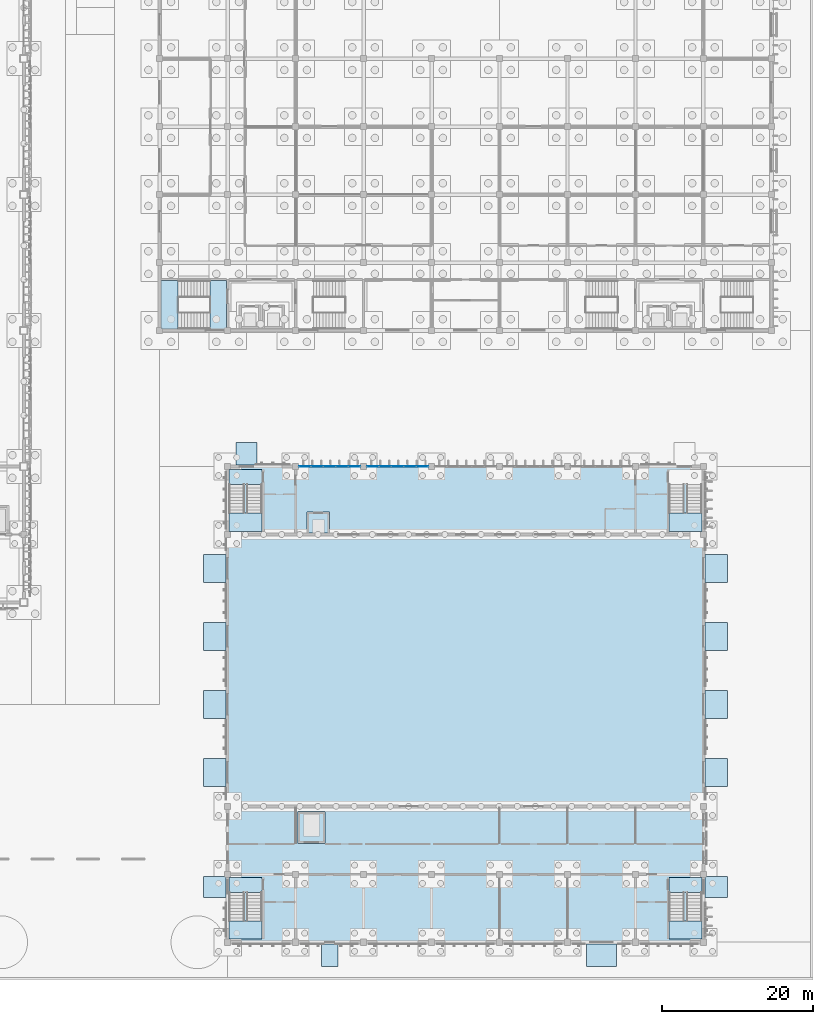
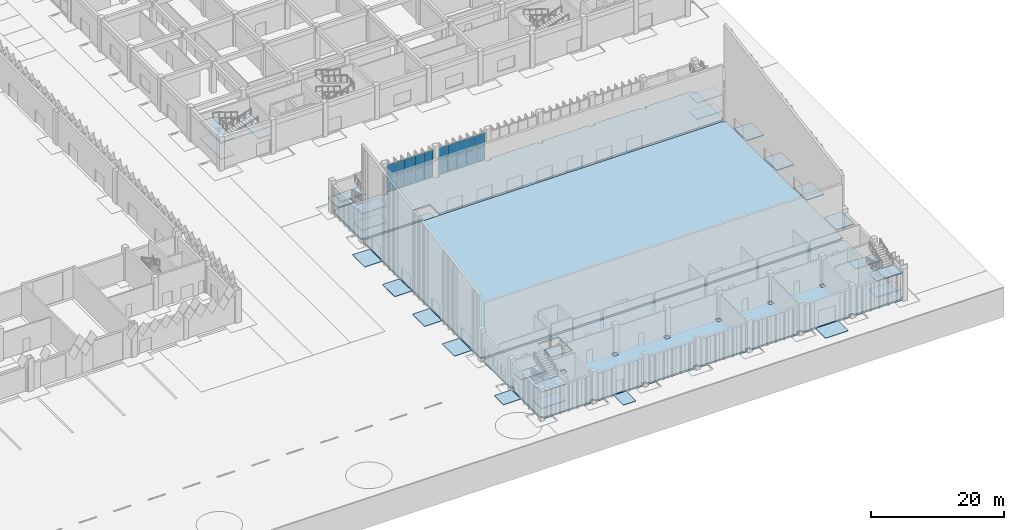
# One storey, part 74 of 198: 32 slabs, 20 plates, 7 elements without a shape of their own.
"""IFC4 building model written with IfcOpenShell, lengths in metres."""

from ifc_helpers import new_model, si_unit, direction, frame, origin, origin_2d, place, context, subcontext, project, spatial, polyline, rectangle, outline, extrude, material, layer, layer_set, type_object, element, aggregate, save


model = new_model("IFC4")

# Units and contexts
model_context = context("Model", 3, precision=1e-05, world=origin(), true_north=direction((0.0, 1.0)))
body_context = subcontext(model_context, "Body", "Model", "MODEL_VIEW")
ifc_project = project(units=[si_unit("LENGTHUNIT", "METRE"), si_unit("AREAUNIT", "SQUARE_METRE"), si_unit("VOLUMEUNIT", "CUBIC_METRE"), si_unit("PLANEANGLEUNIT", "RADIAN"), si_unit("MASSUNIT", "GRAM", prefix="KILO")], contexts=[model_context])

# Site, building, storey
site_placement = place(None, origin())
site = spatial("IfcSite", under=ifc_project, at=site_placement, CompositionType="ELEMENT")
building_placement = place(site_placement, origin())
building = spatial("IfcBuilding", under=site, at=building_placement, Name="Opaline Strait Convention Centre", CompositionType="ELEMENT")
storey_placement = place(building_placement, origin())
storey = spatial("IfcBuildingStorey", under=building, at=storey_placement, Name="L00", CompositionType="ELEMENT", Elevation=0.0)

# Curtain wall, plates
ifc_material_1 = material(Name="Aluminium 6063-T5", Category="aluminium")
ifc_layer_1 = layer(ifc_material_1, 0.199951171875)
ifc_layer_set_1 = layer_set([ifc_layer_1], Name="Aluminium 6063-T5")
curtain_wall_type = type_object("IfcCurtainWallType", Name="Unitised curtain wall 1640 module", PredefinedType="NOTDEFINED", material=ifc_layer_set_1)
curtain_wall_1_placement = place(storey_placement, origin())
curtain_wall_1 = element("IfcCurtainWall", 1, at=curtain_wall_1_placement, inside=storey, type_object=curtain_wall_type, Name="Ballroom north curtain wall L00 bay 2", PredefinedType="NOTDEFINED")
ifc_material_2 = material(Name="Double glazed unit low emissivity", Category="glass")
ifc_layer_2 = layer(ifc_material_2, 0.028076171875)
ifc_layer_set_2 = layer_set([ifc_layer_2], Name="Double glazed unit low emissivity")
plate_type = type_object("IfcPlateType", Name="Curtain wall glass panel 28", PredefinedType="CURTAIN_PANEL", material=ifc_layer_set_2)
plate_1_placement = place(storey_placement, frame((298.23486328125, 72.0, 0.06005859375), z_axis=(0.0, 0.0, 1.0), x_axis=(1.0, 0.0, 0.0)))
plate_1 = element("IfcPlate", 2, at=plate_1_placement, type_object=plate_type, Name="BG2 panel 1.1", PredefinedType="CURTAIN_PANEL", context=body_context, shape_type="SweptSolid", body=[
    extrude(rectangle(XDim=1.550048828125, YDim=0.028076171875, at=origin_2d()), origin(), (0.0, 0.0, 1.0), 2.419921875),
])
plate_2_placement = place(storey_placement, frame((298.23486328125, 72.0, 2.5400390625), z_axis=(0.0, 0.0, 1.0), x_axis=(1.0, 0.0, 0.0)))
plate_2 = element("IfcPlate", 3, at=plate_2_placement, type_object=plate_type, Name="BG2 panel 1.2", PredefinedType="CURTAIN_PANEL", context=body_context, shape_type="SweptSolid", body=[
    extrude(rectangle(XDim=1.550048828125, YDim=0.028076171875, at=origin_2d()), origin(), (0.0, 0.0, 1.0), 2.419921875),
])
plate_3_placement = place(storey_placement, frame((299.85986328125, 72.0, 0.06005859375), z_axis=(0.0, 0.0, 1.0), x_axis=(1.0, 0.0, 0.0)))
plate_3 = element("IfcPlate", 4, at=plate_3_placement, type_object=plate_type, Name="BG2 panel 2.1", PredefinedType="CURTAIN_PANEL", context=body_context, shape_type="SweptSolid", body=[
    extrude(rectangle(XDim=1.580078125, YDim=0.028076171875, at=origin_2d()), origin(), (0.0, 0.0, 1.0), 2.419921875),
])
plate_4_placement = place(storey_placement, frame((299.85986328125, 72.0, 2.5400390625), z_axis=(0.0, 0.0, 1.0), x_axis=(1.0, 0.0, 0.0)))
plate_4 = element("IfcPlate", 5, at=plate_4_placement, type_object=plate_type, Name="BG2 panel 2.2", PredefinedType="CURTAIN_PANEL", context=body_context, shape_type="SweptSolid", body=[
    extrude(rectangle(XDim=1.580078125, YDim=0.028076171875, at=origin_2d()), origin(), (0.0, 0.0, 1.0), 2.419921875),
])
plate_5_placement = place(storey_placement, frame((301.5, 72.0, 0.06005859375), z_axis=(0.0, 0.0, 1.0), x_axis=(1.0, 0.0, 0.0)))
plate_5 = element("IfcPlate", 6, at=plate_5_placement, type_object=plate_type, Name="BG2 panel 3.1", PredefinedType="CURTAIN_PANEL", context=body_context, shape_type="SweptSolid", body=[
    extrude(rectangle(XDim=1.580078125, YDim=0.028076171875, at=origin_2d()), origin(), (0.0, 0.0, 1.0), 2.419921875),
])
plate_6_placement = place(storey_placement, frame((301.5, 72.0, 2.5400390625), z_axis=(0.0, 0.0, 1.0), x_axis=(1.0, 0.0, 0.0)))
plate_6 = element("IfcPlate", 7, at=plate_6_placement, type_object=plate_type, Name="BG2 panel 3.2", PredefinedType="CURTAIN_PANEL", context=body_context, shape_type="SweptSolid", body=[
    extrude(rectangle(XDim=1.580078125, YDim=0.028076171875, at=origin_2d()), origin(), (0.0, 0.0, 1.0), 2.419921875),
])
plate_7_placement = place(storey_placement, frame((303.14013671875, 72.0, 0.06005859375), z_axis=(0.0, 0.0, 1.0), x_axis=(1.0, 0.0, 0.0)))
plate_7 = element("IfcPlate", 8, at=plate_7_placement, type_object=plate_type, Name="BG2 panel 4.1", PredefinedType="CURTAIN_PANEL", context=body_context, shape_type="SweptSolid", body=[
    extrude(rectangle(XDim=1.580078125, YDim=0.028076171875, at=origin_2d()), origin(), (0.0, 0.0, 1.0), 2.419921875),
])
plate_8_placement = place(storey_placement, frame((303.14013671875, 72.0, 2.5400390625), z_axis=(0.0, 0.0, 1.0), x_axis=(1.0, 0.0, 0.0)))
plate_8 = element("IfcPlate", 9, at=plate_8_placement, type_object=plate_type, Name="BG2 panel 4.2", PredefinedType="CURTAIN_PANEL", context=body_context, shape_type="SweptSolid", body=[
    extrude(rectangle(XDim=1.580078125, YDim=0.028076171875, at=origin_2d()), origin(), (0.0, 0.0, 1.0), 2.419921875),
])
plate_9_placement = place(storey_placement, frame((304.76513671875, 72.0, 0.06005859375), z_axis=(0.0, 0.0, 1.0), x_axis=(1.0, 0.0, 0.0)))
plate_9 = element("IfcPlate", 10, at=plate_9_placement, type_object=plate_type, Name="BG2 panel 5.1", PredefinedType="CURTAIN_PANEL", context=body_context, shape_type="SweptSolid", body=[
    extrude(rectangle(XDim=1.550048828125, YDim=0.028076171875, at=origin_2d()), origin(), (0.0, 0.0, 1.0), 2.419921875),
])
plate_10_placement = place(storey_placement, frame((304.76513671875, 72.0, 2.5400390625), z_axis=(0.0, 0.0, 1.0), x_axis=(1.0, 0.0, 0.0)))
plate_10 = element("IfcPlate", 11, at=plate_10_placement, type_object=plate_type, Name="BG2 panel 5.2", PredefinedType="CURTAIN_PANEL", context=body_context, shape_type="SweptSolid", body=[
    extrude(rectangle(XDim=1.550048828125, YDim=0.028076171875, at=origin_2d()), origin(), (0.0, 0.0, 1.0), 2.419921875),
])
aggregate(curtain_wall_1, [plate_1, plate_2, plate_3, plate_4, plate_5, plate_6, plate_7, plate_8, plate_9, plate_10])

curtain_wall_2_placement = place(storey_placement, origin())
curtain_wall_2 = element("IfcCurtainWall", 12, at=curtain_wall_2_placement, inside=storey, type_object=curtain_wall_type, Name="Ballroom north curtain wall L00 bay 3", PredefinedType="NOTDEFINED")
plate_11_placement = place(storey_placement, frame((307.23486328125, 72.0, 0.06005859375), z_axis=(0.0, 0.0, 1.0), x_axis=(1.0, 0.0, 0.0)))
plate_11 = element("IfcPlate", 13, at=plate_11_placement, type_object=plate_type, Name="BG2 panel 1.1", PredefinedType="CURTAIN_PANEL", context=body_context, shape_type="SweptSolid", body=[
    extrude(rectangle(XDim=1.550048828125, YDim=0.028076171875, at=origin_2d()), origin(), (0.0, 0.0, 1.0), 2.419921875),
])
plate_12_placement = place(storey_placement, frame((307.23486328125, 72.0, 2.5400390625), z_axis=(0.0, 0.0, 1.0), x_axis=(1.0, 0.0, 0.0)))
plate_12 = element("IfcPlate", 14, at=plate_12_placement, type_object=plate_type, Name="BG2 panel 1.2", PredefinedType="CURTAIN_PANEL", context=body_context, shape_type="SweptSolid", body=[
    extrude(rectangle(XDim=1.550048828125, YDim=0.028076171875, at=origin_2d()), origin(), (0.0, 0.0, 1.0), 2.419921875),
])
plate_13_placement = place(storey_placement, frame((308.85986328125, 72.0, 0.06005859375), z_axis=(0.0, 0.0, 1.0), x_axis=(1.0, 0.0, 0.0)))
plate_13 = element("IfcPlate", 15, at=plate_13_placement, type_object=plate_type, Name="BG2 panel 2.1", PredefinedType="CURTAIN_PANEL", context=body_context, shape_type="SweptSolid", body=[
    extrude(rectangle(XDim=1.580078125, YDim=0.028076171875, at=origin_2d()), origin(), (0.0, 0.0, 1.0), 2.419921875),
])
plate_14_placement = place(storey_placement, frame((308.85986328125, 72.0, 2.5400390625), z_axis=(0.0, 0.0, 1.0), x_axis=(1.0, 0.0, 0.0)))
plate_14 = element("IfcPlate", 16, at=plate_14_placement, type_object=plate_type, Name="BG2 panel 2.2", PredefinedType="CURTAIN_PANEL", context=body_context, shape_type="SweptSolid", body=[
    extrude(rectangle(XDim=1.580078125, YDim=0.028076171875, at=origin_2d()), origin(), (0.0, 0.0, 1.0), 2.419921875),
])
plate_15_placement = place(storey_placement, frame((310.5, 72.0, 0.06005859375), z_axis=(0.0, 0.0, 1.0), x_axis=(1.0, 0.0, 0.0)))
plate_15 = element("IfcPlate", 17, at=plate_15_placement, type_object=plate_type, Name="BG2 panel 3.1", PredefinedType="CURTAIN_PANEL", context=body_context, shape_type="SweptSolid", body=[
    extrude(rectangle(XDim=1.580078125, YDim=0.028076171875, at=origin_2d()), origin(), (0.0, 0.0, 1.0), 2.419921875),
])
plate_16_placement = place(storey_placement, frame((310.5, 72.0, 2.5400390625), z_axis=(0.0, 0.0, 1.0), x_axis=(1.0, 0.0, 0.0)))
plate_16 = element("IfcPlate", 18, at=plate_16_placement, type_object=plate_type, Name="BG2 panel 3.2", PredefinedType="CURTAIN_PANEL", context=body_context, shape_type="SweptSolid", body=[
    extrude(rectangle(XDim=1.580078125, YDim=0.028076171875, at=origin_2d()), origin(), (0.0, 0.0, 1.0), 2.419921875),
])
plate_17_placement = place(storey_placement, frame((312.14013671875, 72.0, 0.06005859375), z_axis=(0.0, 0.0, 1.0), x_axis=(1.0, 0.0, 0.0)))
plate_17 = element("IfcPlate", 19, at=plate_17_placement, type_object=plate_type, Name="BG2 panel 4.1", PredefinedType="CURTAIN_PANEL", context=body_context, shape_type="SweptSolid", body=[
    extrude(rectangle(XDim=1.580078125, YDim=0.028076171875, at=origin_2d()), origin(), (0.0, 0.0, 1.0), 2.419921875),
])
plate_18_placement = place(storey_placement, frame((312.14013671875, 72.0, 2.5400390625), z_axis=(0.0, 0.0, 1.0), x_axis=(1.0, 0.0, 0.0)))
plate_18 = element("IfcPlate", 20, at=plate_18_placement, type_object=plate_type, Name="BG2 panel 4.2", PredefinedType="CURTAIN_PANEL", context=body_context, shape_type="SweptSolid", body=[
    extrude(rectangle(XDim=1.580078125, YDim=0.028076171875, at=origin_2d()), origin(), (0.0, 0.0, 1.0), 2.419921875),
])
plate_19_placement = place(storey_placement, frame((313.76513671875, 72.0, 0.06005859375), z_axis=(0.0, 0.0, 1.0), x_axis=(1.0, 0.0, 0.0)))
plate_19 = element("IfcPlate", 21, at=plate_19_placement, type_object=plate_type, Name="BG2 panel 5.1", PredefinedType="CURTAIN_PANEL", context=body_context, shape_type="SweptSolid", body=[
    extrude(rectangle(XDim=1.550048828125, YDim=0.028076171875, at=origin_2d()), origin(), (0.0, 0.0, 1.0), 2.419921875),
])
plate_20_placement = place(storey_placement, frame((313.76513671875, 72.0, 2.5400390625), z_axis=(0.0, 0.0, 1.0), x_axis=(1.0, 0.0, 0.0)))
plate_20 = element("IfcPlate", 22, at=plate_20_placement, type_object=plate_type, Name="BG2 panel 5.2", PredefinedType="CURTAIN_PANEL", context=body_context, shape_type="SweptSolid", body=[
    extrude(rectangle(XDim=1.550048828125, YDim=0.028076171875, at=origin_2d()), origin(), (0.0, 0.0, 1.0), 2.419921875),
])
aggregate(curtain_wall_2, [plate_11, plate_12, plate_13, plate_14, plate_15, plate_16, plate_17, plate_18, plate_19, plate_20])

# Slabs
ifc_material_3 = material(Name="Concrete C30", Category="concrete")
ifc_layer_3 = layer(ifc_material_3, 0.14990234375)
ifc_layer_set_3 = layer_set([ifc_layer_3], Name="Concrete C30")
slab_type_1 = type_object("IfcSlabType", Name="Exit apron paving 150 C30", PredefinedType="BASESLAB", material=ifc_layer_set_3)
slab_1_placement = place(storey_placement, frame((0.0, 0.0, -0.14990234375)))
element("IfcSlab", 23, at=slab_1_placement, inside=storey, type_object=slab_type_1, Name="Exit apron P-HW27", PredefinedType="BASESLAB", context=body_context, shape_type="SweptSolid", body=[
    extrude(outline(polyline([(284.800048828125, 29.64990234375), (287.800048828125, 29.64990234375), (287.800048828125, 33.35009765625), (284.800048828125, 33.35009765625), (284.800048828125, 29.64990234375)])), origin(), (0.0, 0.0, 1.0), 0.14990234375),
])
slab_2_placement = place(storey_placement, frame((0.0, 0.0, -0.14990234375)))
element("IfcSlab", 24, at=slab_2_placement, inside=storey, type_object=slab_type_1, Name="Exit apron P-HW36", PredefinedType="BASESLAB", context=body_context, shape_type="SweptSolid", body=[
    extrude(outline(polyline([(284.800048828125, 38.64990234375), (287.800048828125, 38.64990234375), (287.800048828125, 42.35009765625), (284.800048828125, 42.35009765625), (284.800048828125, 38.64990234375)])), origin(), (0.0, 0.0, 1.0), 0.14990234375),
])
slab_3_placement = place(storey_placement, frame((0.0, 0.0, -0.14990234375)))
element("IfcSlab", 25, at=slab_3_placement, inside=storey, type_object=slab_type_1, Name="Exit apron P-HW45", PredefinedType="BASESLAB", context=body_context, shape_type="SweptSolid", body=[
    extrude(outline(polyline([(284.800048828125, 47.64990234375), (287.800048828125, 47.64990234375), (287.800048828125, 51.35009765625), (284.800048828125, 51.35009765625), (284.800048828125, 47.64990234375)])), origin(), (0.0, 0.0, 1.0), 0.14990234375),
])
slab_4_placement = place(storey_placement, frame((0.0, 0.0, -0.14990234375)))
element("IfcSlab", 26, at=slab_4_placement, inside=storey, type_object=slab_type_1, Name="Exit apron P-HW54", PredefinedType="BASESLAB", context=body_context, shape_type="SweptSolid", body=[
    extrude(outline(polyline([(284.800048828125, 56.64990234375), (287.800048828125, 56.64990234375), (287.800048828125, 60.35009765625), (284.800048828125, 60.35009765625), (284.800048828125, 56.64990234375)])), origin(), (0.0, 0.0, 1.0), 0.14990234375),
])
slab_5_placement = place(storey_placement, frame((0.0, 0.0, -0.14990234375)))
element("IfcSlab", 27, at=slab_5_placement, inside=storey, type_object=slab_type_1, Name="Exit apron P-HE27", PredefinedType="BASESLAB", context=body_context, shape_type="SweptSolid", body=[
    extrude(outline(polyline([(351.199951171875, 29.64990234375), (354.199951171875, 29.64990234375), (354.199951171875, 33.35009765625), (351.199951171875, 33.35009765625), (351.199951171875, 29.64990234375)])), origin(), (0.0, 0.0, 1.0), 0.14990234375),
])
slab_6_placement = place(storey_placement, frame((0.0, 0.0, -0.14990234375)))
element("IfcSlab", 28, at=slab_6_placement, inside=storey, type_object=slab_type_1, Name="Exit apron P-HE36", PredefinedType="BASESLAB", context=body_context, shape_type="SweptSolid", body=[
    extrude(outline(polyline([(351.199951171875, 38.64990234375), (354.199951171875, 38.64990234375), (354.199951171875, 42.35009765625), (351.199951171875, 42.35009765625), (351.199951171875, 38.64990234375)])), origin(), (0.0, 0.0, 1.0), 0.14990234375),
])
slab_7_placement = place(storey_placement, frame((0.0, 0.0, -0.14990234375)))
element("IfcSlab", 29, at=slab_7_placement, inside=storey, type_object=slab_type_1, Name="Exit apron P-HE45", PredefinedType="BASESLAB", context=body_context, shape_type="SweptSolid", body=[
    extrude(outline(polyline([(351.199951171875, 47.64990234375), (354.199951171875, 47.64990234375), (354.199951171875, 51.35009765625), (351.199951171875, 51.35009765625), (351.199951171875, 47.64990234375)])), origin(), (0.0, 0.0, 1.0), 0.14990234375),
])
slab_8_placement = place(storey_placement, frame((0.0, 0.0, -0.14990234375)))
element("IfcSlab", 30, at=slab_8_placement, inside=storey, type_object=slab_type_1, Name="Exit apron P-HE54", PredefinedType="BASESLAB", context=body_context, shape_type="SweptSolid", body=[
    extrude(outline(polyline([(351.199951171875, 56.64990234375), (354.199951171875, 56.64990234375), (354.199951171875, 60.35009765625), (351.199951171875, 60.35009765625), (351.199951171875, 56.64990234375)])), origin(), (0.0, 0.0, 1.0), 0.14990234375),
])
slab_9_placement = place(storey_placement, frame((0.0, 0.0, -0.14990234375)))
element("IfcSlab", 31, at=slab_9_placement, inside=storey, type_object=slab_type_1, Name="Exit apron AP-SSW", PredefinedType="BASESLAB", context=body_context, shape_type="SweptSolid", body=[
    extrude(outline(polyline([(284.800048828125, 14.89990234375), (287.800048828125, 14.89990234375), (287.800048828125, 17.699951171875), (284.800048828125, 17.699951171875), (284.800048828125, 14.89990234375)])), origin(), (0.0, 0.0, 1.0), 0.14990234375),
])
slab_10_placement = place(storey_placement, frame((0.0, 0.0, -0.14990234375)))
element("IfcSlab", 32, at=slab_10_placement, inside=storey, type_object=slab_type_1, Name="Exit apron AP-SSE", PredefinedType="BASESLAB", context=body_context, shape_type="SweptSolid", body=[
    extrude(outline(polyline([(351.199951171875, 14.89990234375), (354.199951171875, 14.89990234375), (354.199951171875, 17.699951171875), (351.199951171875, 17.699951171875), (351.199951171875, 14.89990234375)])), origin(), (0.0, 0.0, 1.0), 0.14990234375),
])
slab_11_placement = place(storey_placement, frame((0.0, 0.0, -0.14990234375)))
element("IfcSlab", 33, at=slab_11_placement, inside=storey, type_object=slab_type_1, Name="Exit apron AP-SNW", PredefinedType="BASESLAB", context=body_context, shape_type="SweptSolid", body=[
    extrude(outline(polyline([(289.10009765625, 72.199951171875), (291.89990234375, 72.199951171875), (291.89990234375, 75.199951171875), (289.10009765625, 75.199951171875), (289.10009765625, 72.199951171875)])), origin(), (0.0, 0.0, 1.0), 0.14990234375),
])
slab_12_placement = place(storey_placement, frame((0.0, 0.0, -0.14990234375)))
element("IfcSlab", 34, at=slab_12_placement, inside=storey, type_object=slab_type_1, Name="Exit apron -AP-KS", PredefinedType="BASESLAB", context=body_context, shape_type="SweptSolid", body=[
    extrude(outline(polyline([(300.39990234375, 5.800048828125), (302.60009765625, 5.800048828125), (302.60009765625, 8.800048828125), (300.39990234375, 8.800048828125), (300.39990234375, 5.800048828125)])), origin(), (0.0, 0.0, 1.0), 0.14990234375),
])
slab_13_placement = place(storey_placement, frame((0.0, 0.0, -0.14990234375)))
element("IfcSlab", 35, at=slab_13_placement, inside=storey, type_object=slab_type_1, Name="Exit apron -AP-LD", PredefinedType="BASESLAB", context=body_context, shape_type="SweptSolid", body=[
    extrude(outline(polyline([(335.5, 5.800048828125), (339.5, 5.800048828125), (339.5, 8.800048828125), (335.5, 8.800048828125), (335.5, 5.800048828125)])), origin(), (0.0, 0.0, 1.0), 0.14990234375),
])
ifc_layer_4 = layer(ifc_material_3, 0.300048828125)
ifc_layer_set_4 = layer_set([ifc_layer_4], Name="Concrete C30")
slab_type_2 = type_object("IfcSlabType", Name="Ground slab 300 C30", PredefinedType="BASESLAB", material=ifc_layer_set_4)
slab_14_placement = place(storey_placement, frame((0.0, 0.0, -0.300048828125)))
element("IfcSlab", 36, at=slab_14_placement, inside=storey, type_object=slab_type_2, Name="XS1 ground slab pour S", PredefinedType="BASESLAB", context=body_context, shape_type="SweptSolid", body=[
    extrude(outline(polyline([(350.60009765625, 9.39990234375), (350.60009765625, 9.0), (342.39990234375, 9.0), (342.39990234375, 9.39990234375), (341.60009765625, 9.39990234375), (341.60009765625, 9.0), (333.39990234375, 9.0), (333.39990234375, 9.39990234375), (332.60009765625, 9.39990234375), (332.60009765625, 9.0), (324.39990234375, 9.0), (324.39990234375, 9.39990234375), (323.60009765625, 9.39990234375), (323.60009765625, 9.0), (315.39990234375, 9.0), (315.39990234375, 9.39990234375), (314.60009765625, 9.39990234375), (314.60009765625, 9.0), (306.39990234375, 9.0), (306.39990234375, 9.39990234375), (305.60009765625, 9.39990234375), (305.60009765625, 9.0), (297.39990234375, 9.0), (297.39990234375, 9.39990234375), (296.60009765625, 9.39990234375), (296.60009765625, 9.0), (288.39990234375, 9.0), (288.39990234375, 9.39990234375), (288.0, 9.39990234375), (288.0, 17.60009765625), (288.39990234375, 17.60009765625), (288.39990234375, 18.39990234375), (288.0, 18.39990234375), (288.0, 26.60009765625), (288.39990234375, 26.60009765625), (288.39990234375, 26.800048828125), (350.60009765625, 26.800048828125), (350.60009765625, 26.60009765625), (351.0, 26.60009765625), (351.0, 18.39990234375), (350.60009765625, 18.39990234375), (350.60009765625, 17.60009765625), (351.0, 17.60009765625), (351.0, 9.39990234375), (350.60009765625, 9.39990234375)]), holes=[polyline([(297.39990234375, 18.39990234375), (296.60009765625, 18.39990234375), (296.60009765625, 17.60009765625), (297.39990234375, 17.60009765625), (297.39990234375, 18.39990234375)]), polyline([(306.39990234375, 18.39990234375), (305.60009765625, 18.39990234375), (305.60009765625, 17.60009765625), (306.39990234375, 17.60009765625), (306.39990234375, 18.39990234375)]), polyline([(314.60009765625, 18.39990234375), (314.60009765625, 17.60009765625), (315.39990234375, 17.60009765625), (315.39990234375, 18.39990234375), (314.60009765625, 18.39990234375)]), polyline([(324.39990234375, 18.39990234375), (323.60009765625, 18.39990234375), (323.60009765625, 17.60009765625), (324.39990234375, 17.60009765625), (324.39990234375, 18.39990234375)]), polyline([(333.39990234375, 18.39990234375), (332.60009765625, 18.39990234375), (332.60009765625, 17.60009765625), (333.39990234375, 17.60009765625), (333.39990234375, 18.39990234375)]), polyline([(342.39990234375, 18.39990234375), (341.60009765625, 18.39990234375), (341.60009765625, 17.60009765625), (342.39990234375, 17.60009765625), (342.39990234375, 18.39990234375)]), polyline([(300.89990234375, 22.074951171875), (300.89990234375, 26.27490234375), (297.300048828125, 26.27490234375), (297.300048828125, 22.074951171875), (300.89990234375, 22.074951171875)])]), origin(), (0.0, 0.0, 1.0), 0.300048828125),
])
slab_15_placement = place(storey_placement, frame((0.0, 0.0, -0.300048828125)))
element("IfcSlab", 37, at=slab_15_placement, inside=storey, type_object=slab_type_2, Name="XS1 ground slab pour H", PredefinedType="BASESLAB", context=body_context, shape_type="SweptSolid", body=[
    extrude(outline(polyline([(350.60009765625, 27.39990234375), (350.60009765625, 27.199951171875), (288.39990234375, 27.199951171875), (288.39990234375, 27.39990234375), (288.0, 27.39990234375), (288.0, 62.60009765625), (288.39990234375, 62.60009765625), (288.39990234375, 62.800048828125), (350.60009765625, 62.800048828125), (350.60009765625, 62.60009765625), (351.0, 62.60009765625), (351.0, 27.39990234375), (350.60009765625, 27.39990234375)])), origin(), (0.0, 0.0, 1.0), 0.300048828125),
])
slab_16_placement = place(storey_placement, frame((0.0, 0.0, -0.300048828125)))
element("IfcSlab", 38, at=slab_16_placement, inside=storey, type_object=slab_type_2, Name="XS1 ground slab pour N", PredefinedType="BASESLAB", context=body_context, shape_type="SweptSolid", body=[
    extrude(outline(polyline([(350.60009765625, 63.39990234375), (350.60009765625, 63.199951171875), (301.5, 63.199951171875), (301.5, 66.0), (298.5, 66.0), (298.5, 63.199951171875), (288.39990234375, 63.199951171875), (288.39990234375, 63.39990234375), (288.0, 63.39990234375), (288.0, 71.60009765625), (288.39990234375, 71.60009765625), (288.39990234375, 72.0), (296.60009765625, 72.0), (296.60009765625, 71.60009765625), (297.39990234375, 71.60009765625), (297.39990234375, 72.0), (305.60009765625, 72.0), (305.60009765625, 71.60009765625), (306.39990234375, 71.60009765625), (306.39990234375, 72.0), (314.60009765625, 72.0), (314.60009765625, 71.60009765625), (315.39990234375, 71.60009765625), (315.39990234375, 72.0), (323.60009765625, 72.0), (323.60009765625, 71.60009765625), (324.39990234375, 71.60009765625), (324.39990234375, 72.0), (332.60009765625, 72.0), (332.60009765625, 71.60009765625), (333.39990234375, 71.60009765625), (333.39990234375, 72.0), (341.60009765625, 72.0), (341.60009765625, 71.60009765625), (342.39990234375, 71.60009765625), (342.39990234375, 72.0), (350.60009765625, 72.0), (350.60009765625, 71.60009765625), (351.0, 71.60009765625), (351.0, 63.39990234375), (350.60009765625, 63.39990234375)])), origin(), (0.0, 0.0, 1.0), 0.300048828125),
])
ifc_material_4 = material(Name="Concrete C35", Category="concrete")
ifc_layer_5 = layer(ifc_material_4, 0.300048828125)
ifc_layer_set_5 = layer_set([ifc_layer_5], Name="Concrete C35")
slab_type_3 = type_object("IfcSlabType", Name="Lift pit slab 300 C35", PredefinedType="BASESLAB", material=ifc_layer_set_5)
slab_17_placement = place(storey_placement, frame((0.0, 0.0, -1.800048828125)))
element("IfcSlab", 39, at=slab_17_placement, inside=storey, type_object=slab_type_3, Name="Goods Lift pit slab", PredefinedType="BASESLAB", context=body_context, shape_type="SweptSolid", body=[
    extrude(outline(polyline([(297.300048828125, 22.074951171875), (300.89990234375, 22.074951171875), (300.89990234375, 26.27490234375), (297.300048828125, 26.27490234375), (297.300048828125, 22.074951171875)])), origin(), (0.0, 0.0, 1.0), 0.300048828125),
])
slab_18_placement = place(storey_placement, frame((0.0, 0.0, -1.800048828125)))
element("IfcSlab", 40, at=slab_18_placement, inside=storey, type_object=slab_type_3, Name="Passenger Lift pit slab", PredefinedType="BASESLAB", context=body_context, shape_type="SweptSolid", body=[
    extrude(outline(polyline([(298.5, 63.199951171875), (301.5, 63.199951171875), (301.5, 66.0), (298.5, 66.0), (298.5, 63.199951171875)])), origin(), (0.0, 0.0, 1.0), 0.300048828125),
])

# Stair, slabs
ifc_material_5 = material(Name="Concrete C40", Category="concrete")
stair_type_1 = type_object("IfcStairType", Name="Exit stair two flights 2000", PredefinedType="HALF_TURN_STAIR", material=ifc_material_5)
stair_1_placement = place(storey_placement, origin())
stair_1 = element("IfcStair", 41, at=stair_1_placement, inside=storey, type_object=stair_type_1, Name="L00 Ballroom stair NE", ObjectType="BS4", PredefinedType="HALF_TURN_STAIR")
ifc_layer_6 = layer(ifc_material_5, 0.199951171875)
ifc_layer_set_6 = layer_set([ifc_layer_6], Name="Concrete C40")
slab_type_4 = type_object("IfcSlabType", Name="Stair landing 200 C40", PredefinedType="LANDING", material=ifc_layer_set_6)
slab_19_placement = place(storey_placement, frame((0.0, 0.0, 1.300048828125)))
slab_19 = element("IfcSlab", 42, at=slab_19_placement, type_object=slab_type_4, Name="B-STNE landing 1", ObjectType="RSL1", PredefinedType="LANDING", context=body_context, shape_type="SweptSolid", body=[
    extrude(outline(polyline([(346.449951171875, 65.820068359375), (346.449951171875, 63.39990234375), (350.800048828125, 63.39990234375), (350.800048828125, 65.820068359375), (346.449951171875, 65.820068359375)])), origin(), (0.0, 0.0, 1.0), 0.199951171875),
])
slab_20_placement = place(storey_placement, frame((0.0, 0.0, 4.300048828125)))
slab_20 = element("IfcSlab", 43, at=slab_20_placement, type_object=slab_type_4, Name="B-STNE landing 3", ObjectType="RSL1", PredefinedType="LANDING", context=body_context, shape_type="SweptSolid", body=[
    extrude(outline(polyline([(346.449951171875, 65.820068359375), (346.449951171875, 63.39990234375), (350.800048828125, 63.39990234375), (350.800048828125, 65.820068359375), (346.449951171875, 65.820068359375)])), origin(), (0.0, 0.0, 1.0), 0.199951171875),
])
aggregate(stair_1, [slab_19, slab_20])

stair_2_placement = place(storey_placement, origin())
stair_2 = element("IfcStair", 44, at=stair_2_placement, inside=storey, type_object=stair_type_1, Name="L00 Ballroom stair NW", ObjectType="BS4", PredefinedType="HALF_TURN_STAIR")
slab_21_placement = place(storey_placement, frame((0.0, 0.0, 1.300048828125)))
slab_21 = element("IfcSlab", 45, at=slab_21_placement, type_object=slab_type_4, Name="B-STNW landing 1", ObjectType="RSL1", PredefinedType="LANDING", context=body_context, shape_type="SweptSolid", body=[
    extrude(outline(polyline([(288.199951171875, 65.820068359375), (288.199951171875, 63.39990234375), (292.550048828125, 63.39990234375), (292.550048828125, 65.820068359375), (288.199951171875, 65.820068359375)])), origin(), (0.0, 0.0, 1.0), 0.199951171875),
])
slab_22_placement = place(storey_placement, frame((0.0, 0.0, 2.800048828125)))
slab_22 = element("IfcSlab", 46, at=slab_22_placement, type_object=slab_type_4, Name="B-STNW landing 2", ObjectType="RSL1", PredefinedType="LANDING", context=body_context, shape_type="SweptSolid", body=[
    extrude(outline(polyline([(288.199951171875, 71.60009765625), (288.199951171875, 69.60009765625), (292.550048828125, 69.60009765625), (292.550048828125, 71.60009765625), (288.199951171875, 71.60009765625)])), origin(), (0.0, 0.0, 1.0), 0.199951171875),
])
slab_23_placement = place(storey_placement, frame((0.0, 0.0, 4.300048828125)))
slab_23 = element("IfcSlab", 47, at=slab_23_placement, type_object=slab_type_4, Name="B-STNW landing 3", ObjectType="RSL1", PredefinedType="LANDING", context=body_context, shape_type="SweptSolid", body=[
    extrude(outline(polyline([(288.199951171875, 65.820068359375), (288.199951171875, 63.39990234375), (292.550048828125, 63.39990234375), (292.550048828125, 65.820068359375), (288.199951171875, 65.820068359375)])), origin(), (0.0, 0.0, 1.0), 0.199951171875),
])
aggregate(stair_2, [slab_21, slab_22, slab_23])

stair_3_placement = place(storey_placement, origin())
stair_3 = element("IfcStair", 48, at=stair_3_placement, inside=storey, type_object=stair_type_1, Name="L00 Ballroom stair SE", ObjectType="BS4", PredefinedType="HALF_TURN_STAIR")
slab_24_placement = place(storey_placement, frame((0.0, 0.0, 1.300048828125)))
slab_24 = element("IfcSlab", 49, at=slab_24_placement, type_object=slab_type_4, Name="B-STSE landing 1", ObjectType="RSL1", PredefinedType="LANDING", context=body_context, shape_type="SweptSolid", body=[
    extrude(outline(polyline([(346.449951171875, 11.820068359375), (346.449951171875, 9.39990234375), (350.800048828125, 9.39990234375), (350.800048828125, 11.820068359375), (346.449951171875, 11.820068359375)])), origin(), (0.0, 0.0, 1.0), 0.199951171875),
])
slab_25_placement = place(storey_placement, frame((0.0, 0.0, 2.800048828125)))
slab_25 = element("IfcSlab", 50, at=slab_25_placement, type_object=slab_type_4, Name="B-STSE landing 2", ObjectType="RSL1", PredefinedType="LANDING", context=body_context, shape_type="SweptSolid", body=[
    extrude(outline(polyline([(346.449951171875, 17.60009765625), (346.449951171875, 15.60009765625), (350.800048828125, 15.60009765625), (350.800048828125, 17.60009765625), (346.449951171875, 17.60009765625)])), origin(), (0.0, 0.0, 1.0), 0.199951171875),
])
slab_26_placement = place(storey_placement, frame((0.0, 0.0, 4.300048828125)))
slab_26 = element("IfcSlab", 51, at=slab_26_placement, type_object=slab_type_4, Name="B-STSE landing 3", ObjectType="RSL1", PredefinedType="LANDING", context=body_context, shape_type="SweptSolid", body=[
    extrude(outline(polyline([(346.449951171875, 11.820068359375), (346.449951171875, 9.39990234375), (350.800048828125, 9.39990234375), (350.800048828125, 11.820068359375), (346.449951171875, 11.820068359375)])), origin(), (0.0, 0.0, 1.0), 0.199951171875),
])
aggregate(stair_3, [slab_24, slab_25, slab_26])

stair_4_placement = place(storey_placement, origin())
stair_4 = element("IfcStair", 52, at=stair_4_placement, inside=storey, type_object=stair_type_1, Name="L00 Ballroom stair SW", ObjectType="BS4", PredefinedType="HALF_TURN_STAIR")
slab_27_placement = place(storey_placement, frame((0.0, 0.0, 1.300048828125)))
slab_27 = element("IfcSlab", 53, at=slab_27_placement, type_object=slab_type_4, Name="B-STSW landing 1", ObjectType="RSL1", PredefinedType="LANDING", context=body_context, shape_type="SweptSolid", body=[
    extrude(outline(polyline([(288.199951171875, 11.820068359375), (288.199951171875, 9.39990234375), (292.550048828125, 9.39990234375), (292.550048828125, 11.820068359375), (288.199951171875, 11.820068359375)])), origin(), (0.0, 0.0, 1.0), 0.199951171875),
])
slab_28_placement = place(storey_placement, frame((0.0, 0.0, 2.800048828125)))
slab_28 = element("IfcSlab", 54, at=slab_28_placement, type_object=slab_type_4, Name="B-STSW landing 2", ObjectType="RSL1", PredefinedType="LANDING", context=body_context, shape_type="SweptSolid", body=[
    extrude(outline(polyline([(288.199951171875, 17.60009765625), (288.199951171875, 15.60009765625), (292.550048828125, 15.60009765625), (292.550048828125, 17.60009765625), (288.199951171875, 17.60009765625)])), origin(), (0.0, 0.0, 1.0), 0.199951171875),
])
slab_29_placement = place(storey_placement, frame((0.0, 0.0, 4.300048828125)))
slab_29 = element("IfcSlab", 55, at=slab_29_placement, type_object=slab_type_4, Name="B-STSW landing 3", ObjectType="RSL1", PredefinedType="LANDING", context=body_context, shape_type="SweptSolid", body=[
    extrude(outline(polyline([(288.199951171875, 11.820068359375), (288.199951171875, 9.39990234375), (292.550048828125, 9.39990234375), (292.550048828125, 11.820068359375), (288.199951171875, 11.820068359375)])), origin(), (0.0, 0.0, 1.0), 0.199951171875),
])
aggregate(stair_4, [slab_27, slab_28, slab_29])

stair_type_2 = type_object("IfcStairType", Name="Escape stair half-turn 2200 concrete C40", PredefinedType="HALF_TURN_STAIR", material=ifc_material_5)
stair_5_placement = place(storey_placement, origin())
stair_5 = element("IfcStair", 56, at=stair_5_placement, inside=storey, type_object=stair_type_2, Name="L00 Stair S1-MTG", ObjectType="MST1", PredefinedType="HALF_TURN_STAIR")
ifc_layer_7 = layer(ifc_material_5, 0.199951171875)
ifc_layer_set_7 = layer_set([ifc_layer_7], Name="Concrete C40")
slab_type_5 = type_object("IfcSlabType", Name="Stair landing 200 concrete C40", PredefinedType="LANDING", material=ifc_layer_set_7)
slab_30_placement = place(storey_placement, frame((0.0, 0.0, 1.300048828125)))
slab_30 = element("IfcSlab", 57, at=slab_30_placement, type_object=slab_type_5, Name="S1 landing 1", ObjectType="MSL1", PredefinedType="LANDING", context=body_context, shape_type="SweptSolid", body=[
    extrude(outline(polyline([(281.4501953125, 96.60009765625), (279.2001953125, 96.60009765625), (279.2001953125, 90.2001953125), (281.4501953125, 90.2001953125), (281.4501953125, 96.60009765625)])), origin(), (0.0, 0.0, 1.0), 0.199951171875),
])
slab_31_placement = place(storey_placement, frame((0.0, 0.0, 2.800048828125)))
slab_31 = element("IfcSlab", 58, at=slab_31_placement, type_object=slab_type_5, Name="S1 landing 2", ObjectType="MSL1", PredefinedType="LANDING", context=body_context, shape_type="SweptSolid", body=[
    extrude(outline(polyline([(287.85009765625, 96.60009765625), (285.650146484375, 96.60009765625), (285.650146484375, 90.2001953125), (287.85009765625, 90.2001953125), (287.85009765625, 96.60009765625)])), origin(), (0.0, 0.0, 1.0), 0.199951171875),
])
slab_32_placement = place(storey_placement, frame((0.0, 0.0, 4.300048828125)))
slab_32 = element("IfcSlab", 59, at=slab_32_placement, type_object=slab_type_5, Name="S1 landing 3", ObjectType="MSL1", PredefinedType="LANDING", context=body_context, shape_type="SweptSolid", body=[
    extrude(outline(polyline([(281.4501953125, 96.60009765625), (279.2001953125, 96.60009765625), (279.2001953125, 90.2001953125), (281.4501953125, 90.2001953125), (281.4501953125, 96.60009765625)])), origin(), (0.0, 0.0, 1.0), 0.199951171875),
])
aggregate(stair_5, [slab_30, slab_31, slab_32])

save(model, "model.ifc")
